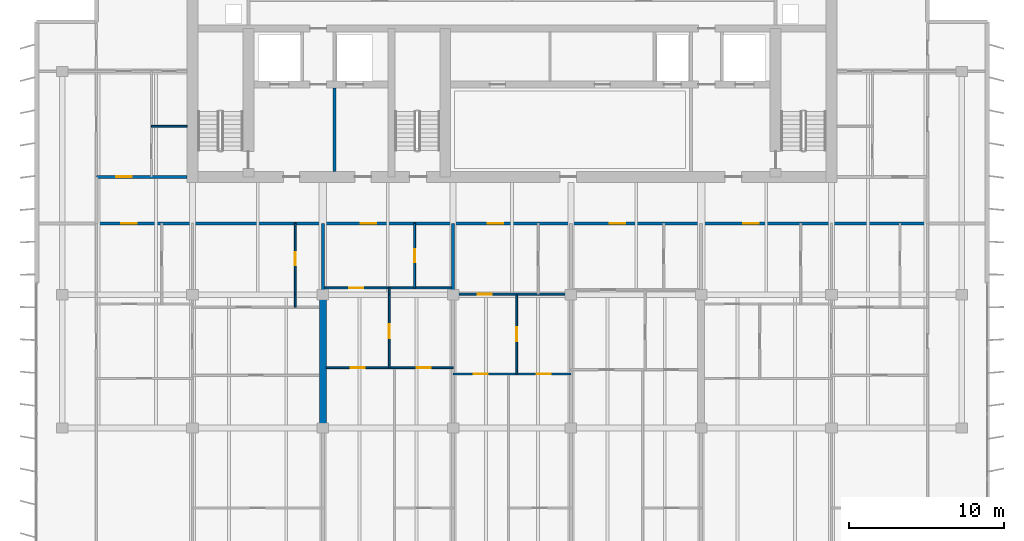
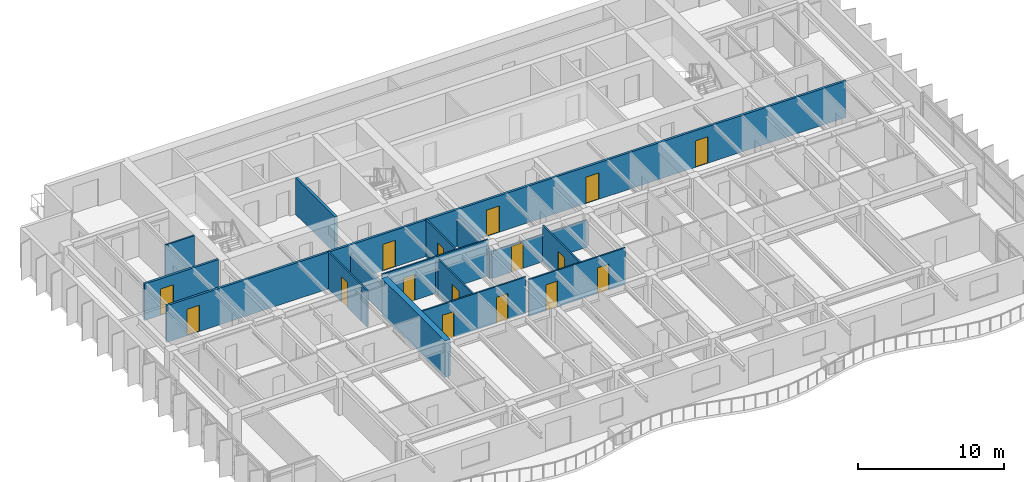
# One storey, part 7 of 17: 17 walls, 16 doors, 16 openings.
"""IFC4 building model written with IfcOpenShell, lengths in metres."""

from ifc_helpers import new_model, si_unit, direction, frame, frame_2d, origin, place, context, subcontext, project, spatial, rectangle, extrude, material, layer, layer_set, type_object, element, fill, save


model = new_model("IFC4")

# Units and contexts
model_context = context("Model", 3, precision=1e-05, world=origin(), true_north=direction((0.0, 1.0)))
body_context = subcontext(model_context, "Body", "Model", "MODEL_VIEW")
ifc_project = project(units=[si_unit("LENGTHUNIT", "METRE"), si_unit("AREAUNIT", "SQUARE_METRE"), si_unit("VOLUMEUNIT", "CUBIC_METRE"), si_unit("PLANEANGLEUNIT", "RADIAN"), si_unit("MASSUNIT", "GRAM", prefix="KILO")], contexts=[model_context])

# Site, building, storey
site_placement = place(None, origin())
site = spatial("IfcSite", under=ifc_project, at=site_placement, CompositionType="ELEMENT")
building_placement = place(site_placement, origin())
building = spatial("IfcBuilding", under=site, at=building_placement, Name="Caelmar Bay Residences", CompositionType="ELEMENT")
storey_placement = place(building_placement, frame((0.0, 0.0, 236.39990234375)))
storey = spatial("IfcBuildingStorey", under=building, at=storey_placement, Name="L66", CompositionType="ELEMENT", Elevation=236.39990234375)

# Wall
ifc_material_1 = material(Name="Concrete f'c 55 MPa (8,000 psi)", Category="concrete")
ifc_layer_1 = layer(ifc_material_1, 0.449951171875)
ifc_layer_set_1 = layer_set([ifc_layer_1], Name="Concrete f'c 55 MPa (8,000 psi)")
wall_type_1 = type_object("IfcWallType", Name="SW-XSLB-450", PredefinedType="SHEAR", material=ifc_layer_set_1)
wall_1_placement = place(storey_placement, frame((26.699951171875, 20.800048828125, 0.0), z_axis=(0.0, 0.0, 1.0), x_axis=(0.0, 1.0, 0.0)))
element("IfcWall", 1, at=wall_1_placement, inside=storey, type_object=wall_type_1, Name="L66 Transverse Cross-Slab Shear Wall W5", PredefinedType="SHEAR", context=body_context, shape_type="SweptSolid", body=[
    extrude(rectangle(XDim=8.599853515625, YDim=0.449951171875, at=frame_2d((4.2998046875, 0.0))), origin(), (0.0, 0.0, 1.0), 3.050048828125),
])

# Wall, openings, doors
ifc_material_2 = material(Name="Double-stud acoustic fire-rated gypsum partition 180 mm")
ifc_layer_2 = layer(ifc_material_2, 0.179931640625)
ifc_layer_set_2 = layer_set([ifc_layer_2], Name="Double-stud acoustic fire-rated gypsum partition 180 mm")
wall_type_2 = type_object("IfcWallType", Name="W-COR-200", PredefinedType="PARTITIONING", material=ifc_layer_set_2)
wall_2_placement = place(storey_placement, frame((12.10498046875, 34.0, 0.0), z_axis=(0.0, 0.0, 1.0), x_axis=(1.0, 0.0, 0.0)))
wall_2 = element("IfcWall", 2, at=wall_2_placement, inside=storey, type_object=wall_type_2, Name="L66 Partition Wall H083", PredefinedType="PARTITIONING", context=body_context, shape_type="SweptSolid", body=[
    extrude(rectangle(XDim=53.594970703125, YDim=0.179931640625, at=frame_2d((26.79736328125, 0.0))), origin(), (0.0, 0.0, 1.0), 3.050048828125),
])
opening_1_placement = place(wall_2_placement, frame((1.60693359375, 0.0, 0.0)))
opening_1 = element("IfcOpeningElement", 3, at=opening_1_placement, cuts=wall_2, Name="Opening D-L66-120", PredefinedType="OPENING", context=body_context, shape_type="SweptSolid", body=[
    extrude(rectangle(XDim=1.0, YDim=2.199951171875, at=frame_2d((0.5, 1.10009765625))), frame((0.0, 0.099853515625, 0.0), z_axis=(0.0, -1.0, 0.0), x_axis=(1.0, 0.0, 0.0)), (0.0, 0.0, 1.0), 0.199951171875),
])
opening_2_placement = place(wall_2_placement, frame((17.056884765625, 0.0, 0.0)))
opening_2 = element("IfcOpeningElement", 4, at=opening_2_placement, cuts=wall_2, Name="Opening D-L66-129", PredefinedType="OPENING", context=body_context, shape_type="SweptSolid", body=[
    extrude(rectangle(XDim=1.0, YDim=2.199951171875, at=frame_2d((0.5, 1.10009765625))), frame((0.0, 0.099853515625, 0.0), z_axis=(0.0, -1.0, 0.0), x_axis=(1.0, 0.0, 0.0)), (0.0, 0.0, 1.0), 0.199951171875),
])
opening_3_placement = place(wall_2_placement, frame((25.242431640625, 0.0, 0.0)))
opening_3 = element("IfcOpeningElement", 5, at=opening_3_placement, cuts=wall_2, Name="Opening D-L66-136", PredefinedType="OPENING", context=body_context, shape_type="SweptSolid", body=[
    extrude(rectangle(XDim=1.0, YDim=2.199951171875, at=frame_2d((0.5, 1.10009765625))), frame((0.0, 0.099853515625, 0.0), z_axis=(0.0, -1.0, 0.0), x_axis=(1.0, 0.0, 0.0)), (0.0, 0.0, 1.0), 0.199951171875),
])
opening_4_placement = place(wall_2_placement, frame((33.091552734375, 0.0, 0.0)))
opening_4 = element("IfcOpeningElement", 6, at=opening_4_placement, cuts=wall_2, Name="Opening D-L66-143", PredefinedType="OPENING", context=body_context, shape_type="SweptSolid", body=[
    extrude(rectangle(XDim=1.0, YDim=2.199951171875, at=frame_2d((0.5, 1.10009765625))), frame((0.0, 0.099853515625, 0.0), z_axis=(0.0, -1.0, 0.0), x_axis=(1.0, 0.0, 0.0)), (0.0, 0.0, 1.0), 0.199951171875),
])
opening_5_placement = place(wall_2_placement, frame((41.70458984375, 0.0, 0.0)))
opening_5 = element("IfcOpeningElement", 7, at=opening_5_placement, cuts=wall_2, Name="Opening D-L66-150", PredefinedType="OPENING", context=body_context, shape_type="SweptSolid", body=[
    extrude(rectangle(XDim=1.0, YDim=2.199951171875, at=frame_2d((0.5, 1.10009765625))), frame((0.0, 0.099853515625, 0.0), z_axis=(0.0, -1.0, 0.0), x_axis=(1.0, 0.0, 0.0)), (0.0, 0.0, 1.0), 0.199951171875),
])
ifc_material_3 = material(Name="Fire-rated steel and walnut architectural door assembly", Category="steel")
ifc_layer_3 = layer(ifc_material_3, 0.050048828125)
ifc_layer_set_3 = layer_set([ifc_layer_3], Name="Fire-rated steel and walnut architectural door assembly")
door_type_1 = type_object("IfcDoorType", Name="D-UNIT-1000", OperationType="NOTDEFINED", PredefinedType="DOOR", material=ifc_layer_set_3)
door_1_placement = place(opening_1_placement, origin())
door_1 = element("IfcDoor", 8, at=door_1_placement, inside=storey, type_object=door_type_1, Name="L66 Residence 01 Apartment Hall Door", OperationType="SINGLE_SWING_RIGHT", OverallHeight=2.199951171875, OverallWidth=1.0, PredefinedType="DOOR", context=body_context, shape_type="SweptSolid", body=[
    extrude(rectangle(XDim=1.0, YDim=2.199951171875, at=frame_2d((0.5, 1.10009765625))), frame((0.0, 0.02490234375, 0.0), z_axis=(0.0, -1.0, 0.0), x_axis=(1.0, 0.0, 0.0)), (0.0, 0.0, 1.0), 0.050048828125),
])
fill(opening_1, door_1)
door_2_placement = place(opening_2_placement, origin())
door_2 = element("IfcDoor", 9, at=door_2_placement, inside=storey, type_object=door_type_1, Name="L66 Residence 02 Apartment Hall Door", OperationType="SINGLE_SWING_LEFT", OverallHeight=2.199951171875, OverallWidth=1.0, PredefinedType="DOOR", context=body_context, shape_type="SweptSolid", body=[
    extrude(rectangle(XDim=1.0, YDim=2.199951171875, at=frame_2d((0.5, 1.10009765625))), frame((0.0, 0.02490234375, 0.0), z_axis=(0.0, -1.0, 0.0), x_axis=(1.0, 0.0, 0.0)), (0.0, 0.0, 1.0), 0.050048828125),
])
fill(opening_2, door_2)
door_3_placement = place(opening_3_placement, origin())
door_3 = element("IfcDoor", 10, at=door_3_placement, inside=storey, type_object=door_type_1, Name="L66 Residence 03 Apartment Hall Door", OperationType="SINGLE_SWING_RIGHT", OverallHeight=2.199951171875, OverallWidth=1.0, PredefinedType="DOOR", context=body_context, shape_type="SweptSolid", body=[
    extrude(rectangle(XDim=1.0, YDim=2.199951171875, at=frame_2d((0.5, 1.10009765625))), frame((0.0, 0.02490234375, 0.0), z_axis=(0.0, -1.0, 0.0), x_axis=(1.0, 0.0, 0.0)), (0.0, 0.0, 1.0), 0.050048828125),
])
fill(opening_3, door_3)
door_4_placement = place(opening_4_placement, origin())
door_4 = element("IfcDoor", 11, at=door_4_placement, inside=storey, type_object=door_type_1, Name="L66 Residence 04 Apartment Hall Door", OperationType="SINGLE_SWING_LEFT", OverallHeight=2.199951171875, OverallWidth=1.0, PredefinedType="DOOR", context=body_context, shape_type="SweptSolid", body=[
    extrude(rectangle(XDim=1.0, YDim=2.199951171875, at=frame_2d((0.5, 1.10009765625))), frame((0.0, 0.02490234375, 0.0), z_axis=(0.0, -1.0, 0.0), x_axis=(1.0, 0.0, 0.0)), (0.0, 0.0, 1.0), 0.050048828125),
])
fill(opening_4, door_4)
door_5_placement = place(opening_5_placement, origin())
door_5 = element("IfcDoor", 12, at=door_5_placement, inside=storey, type_object=door_type_1, Name="L66 Residence 05 Apartment Hall Door", OperationType="SINGLE_SWING_RIGHT", OverallHeight=2.199951171875, OverallWidth=1.0, PredefinedType="DOOR", context=body_context, shape_type="SweptSolid", body=[
    extrude(rectangle(XDim=1.0, YDim=2.199951171875, at=frame_2d((0.5, 1.10009765625))), frame((0.0, 0.02490234375, 0.0), z_axis=(0.0, -1.0, 0.0), x_axis=(1.0, 0.0, 0.0)), (0.0, 0.0, 1.0), 0.050048828125),
])
fill(opening_5, door_5)

# Wall, opening, door
wall_3_placement = place(storey_placement, frame((12.10009765625, 37.0, 0.0), z_axis=(0.0, 0.0, 1.0), x_axis=(1.0, 0.0, 0.0)))
wall_3 = element("IfcWall", 13, at=wall_3_placement, inside=storey, type_object=wall_type_2, Name="L66 Partition Wall H085", PredefinedType="PARTITIONING", context=body_context, shape_type="SweptSolid", body=[
    extrude(rectangle(XDim=5.844970703125, YDim=0.179931640625, at=frame_2d((2.92236328125, 0.0))), origin(), (0.0, 0.0, 1.0), 3.050048828125),
])
opening_6_placement = place(wall_3_placement, frame((1.27490234375, 0.0, 0.0)))
opening_6 = element("IfcOpeningElement", 14, at=opening_6_placement, cuts=wall_3, Name="Opening D-L66-162", PredefinedType="OPENING", context=body_context, shape_type="SweptSolid", body=[
    extrude(rectangle(XDim=1.0, YDim=2.199951171875, at=frame_2d((0.5, 1.10009765625))), frame((0.0, 0.099853515625, 0.0), z_axis=(0.0, -1.0, 0.0), x_axis=(1.0, 0.0, 0.0)), (0.0, 0.0, 1.0), 0.199951171875),
])
door_6_placement = place(opening_6_placement, origin())
door_6 = element("IfcDoor", 15, at=door_6_placement, inside=storey, type_object=door_type_1, Name="L66 Residence WA Kitchen Door", OperationType="SINGLE_SWING_RIGHT", OverallHeight=2.199951171875, OverallWidth=1.0, PredefinedType="DOOR", context=body_context, shape_type="SweptSolid", body=[
    extrude(rectangle(XDim=1.0, YDim=2.199951171875, at=frame_2d((0.5, 1.10009765625))), frame((0.0, 0.02490234375, 0.0), z_axis=(0.0, -1.0, 0.0), x_axis=(1.0, 0.0, 0.0)), (0.0, 0.0, 1.0), 0.050048828125),
])
fill(opening_6, door_6)

# Walls
ifc_material_4 = material(Name="Fire-rated masonry and gypsum shaftliner assembly 200 mm", Category="masonry")
ifc_layer_4 = layer(ifc_material_4, 0.199951171875)
ifc_layer_set_4 = layer_set([ifc_layer_4], Name="Fire-rated masonry and gypsum shaftliner assembly 200 mm")
wall_type_3 = type_object("IfcWallType", Name="W-FSAE-200", PredefinedType="PARTITIONING", material=ifc_layer_set_4)
wall_4_placement = place(storey_placement, frame((27.449951171875, 37.344970703125, 0.0), z_axis=(0.0, 0.0, 1.0), x_axis=(0.0, 1.0, 0.0)))
element("IfcWall", 16, at=wall_4_placement, inside=storey, type_object=wall_type_3, Name="L66 Partition Wall V018", PredefinedType="PARTITIONING", context=body_context, shape_type="SweptSolid", body=[
    extrude(rectangle(XDim=5.385009765625, YDim=0.199951171875, at=frame_2d((2.6923828125, 0.0))), origin(), (0.0, 0.0, 1.0), 3.050048828125),
])
ifc_material_5 = material(Name="Acoustic metal-stud gypsum partition 120 mm")
ifc_layer_5 = layer(ifc_material_5, 0.1201171875)
ifc_layer_set_5 = layer_set([ifc_layer_5], Name="Acoustic metal-stud gypsum partition 120 mm")
wall_type_4 = type_object("IfcWallType", Name="W-PRT-120", PredefinedType="PARTITIONING", material=ifc_layer_set_5)
wall_5_placement = place(storey_placement, frame((24.922119140625, 28.60009765625, 0.0), z_axis=(0.0, 0.0, 1.0), x_axis=(0.0, 1.0, 0.0)))
element("IfcWall", 17, at=wall_5_placement, inside=storey, type_object=wall_type_4, Name="L66 Partition Wall V012", PredefinedType="PARTITIONING", context=body_context, shape_type="SweptSolid", body=[
    extrude(rectangle(XDim=0.7998046875, YDim=0.1201171875, at=frame_2d((0.39990234375, 0.0))), origin(), (0.0, 0.0, 1.0), 3.050048828125),
])

# Wall, opening, door
wall_6_placement = place(storey_placement, frame((24.922119140625, 29.43994140625, 0.0), z_axis=(0.0, 0.0, 1.0), x_axis=(0.0, 1.0, 0.0)))
wall_6 = element("IfcWall", 18, at=wall_6_placement, inside=storey, type_object=wall_type_4, Name="L66 Partition Wall V013", PredefinedType="PARTITIONING", context=body_context, shape_type="SweptSolid", body=[
    extrude(rectangle(XDim=4.56005859375, YDim=0.1201171875, at=frame_2d((2.280029296875, 0.0))), origin(), (0.0, 0.0, 1.0), 3.050048828125),
])
opening_7_placement = place(wall_6_placement, frame((1.85498046875, 0.0, 0.0)))
opening_7 = element("IfcOpeningElement", 19, at=opening_7_placement, cuts=wall_6, Name="Opening D-L66-126", PredefinedType="OPENING", context=body_context, shape_type="SweptSolid", body=[
    extrude(rectangle(XDim=0.85009765625, YDim=2.10009765625, at=frame_2d((0.425048828125, 1.050048828125))), frame((0.0, 0.070068359375, 0.0), z_axis=(0.0, -1.0, 0.0), x_axis=(1.0, 0.0, 0.0)), (0.0, 0.0, 1.0), 0.14013671875),
])
ifc_material_6 = material(Name="Solid walnut timber interior door leaf and frame", Category="wood")
ifc_layer_6 = layer(ifc_material_6, 0.050048828125)
ifc_layer_set_6 = layer_set([ifc_layer_6], Name="Solid walnut timber interior door leaf and frame")
door_type_2 = type_object("IfcDoorType", Name="D-BATH-850", OperationType="NOTDEFINED", PredefinedType="DOOR", material=ifc_layer_set_6)
door_7_placement = place(opening_7_placement, origin())
door_7 = element("IfcDoor", 20, at=door_7_placement, inside=storey, type_object=door_type_2, Name="L66 Residence 01 En-Suite Bathroom 1 Door", OperationType="SINGLE_SWING_RIGHT", OverallHeight=2.10009765625, OverallWidth=0.85009765625, PredefinedType="DOOR", context=body_context, shape_type="SweptSolid", body=[
    extrude(rectangle(XDim=0.85009765625, YDim=2.10009765625, at=frame_2d((0.425048828125, 1.050048828125))), frame((0.0, 0.02490234375, 0.0), z_axis=(0.0, -1.0, 0.0), x_axis=(1.0, 0.0, 0.0)), (0.0, 0.0, 1.0), 0.050048828125),
])
fill(opening_7, door_7)

wall_7_placement = place(storey_placement, frame((30.986083984375, 24.68994140625, 0.0), z_axis=(0.0, 0.0, 1.0), x_axis=(0.0, 1.0, 0.0)))
wall_7 = element("IfcWall", 21, at=wall_7_placement, inside=storey, type_object=wall_type_4, Name="L66 Partition Wall V020", PredefinedType="PARTITIONING", context=body_context, shape_type="SweptSolid", body=[
    extrude(rectangle(XDim=4.7099609375, YDim=0.1201171875, at=frame_2d((2.35498046875, 0.0))), origin(), (0.0, 0.0, 1.0), 3.050048828125),
])
opening_8_placement = place(wall_7_placement, frame((1.905029296875, 0.0, 0.0)))
opening_8 = element("IfcOpeningElement", 22, at=opening_8_placement, cuts=wall_7, Name="Opening D-L66-132", PredefinedType="OPENING", context=body_context, shape_type="SweptSolid", body=[
    extrude(rectangle(XDim=0.89990234375, YDim=2.14990234375, at=frame_2d((0.449951171875, 1.074951171875))), frame((0.0, 0.070068359375, 0.0), z_axis=(0.0, -1.0, 0.0), x_axis=(1.0, 0.0, 0.0)), (0.0, 0.0, 1.0), 0.14013671875),
])
ifc_layer_7 = layer(ifc_material_6, 0.050048828125)
ifc_layer_set_7 = layer_set([ifc_layer_7], Name="Solid walnut timber interior door leaf and frame")
door_type_3 = type_object("IfcDoorType", Name="D-ROOM-900", OperationType="NOTDEFINED", PredefinedType="DOOR", material=ifc_layer_set_7)
door_8_placement = place(opening_8_placement, origin())
door_8 = element("IfcDoor", 23, at=door_8_placement, inside=storey, type_object=door_type_3, Name="L66 Residence 02 Home Office Door", OperationType="SINGLE_SWING_RIGHT", OverallHeight=2.14990234375, OverallWidth=0.89990234375, PredefinedType="DOOR", context=body_context, shape_type="SweptSolid", body=[
    extrude(rectangle(XDim=0.89990234375, YDim=2.14990234375, at=frame_2d((0.449951171875, 1.074951171875))), frame((0.0, 0.02490234375, 0.0), z_axis=(0.0, -1.0, 0.0), x_axis=(1.0, 0.0, 0.0)), (0.0, 0.0, 1.0), 0.050048828125),
])
fill(opening_8, door_8)

# Wall
wall_8_placement = place(storey_placement, frame((30.986083984375, 29.43994140625, 0.0), z_axis=(0.0, 0.0, 1.0), x_axis=(0.0, 1.0, 0.0)))
element("IfcWall", 24, at=wall_8_placement, inside=storey, type_object=wall_type_4, Name="L66 Partition Wall V021", PredefinedType="PARTITIONING", context=body_context, shape_type="SweptSolid", body=[
    extrude(rectangle(XDim=0.400146484375, YDim=0.1201171875, at=frame_2d((0.2001953125, 0.0))), origin(), (0.0, 0.0, 1.0), 2.72509765625),
])

# Wall, opening, door
wall_9_placement = place(storey_placement, frame((32.6240234375, 29.840087890625, 0.0), z_axis=(0.0, 0.0, 1.0), x_axis=(0.0, 1.0, 0.0)))
wall_9 = element("IfcWall", 25, at=wall_9_placement, inside=storey, type_object=wall_type_4, Name="L66 Partition Wall V024", PredefinedType="PARTITIONING", context=body_context, shape_type="SweptSolid", body=[
    extrude(rectangle(XDim=4.159912109375, YDim=0.1201171875, at=frame_2d((2.080078125, 0.0))), origin(), (0.0, 0.0, 1.0), 3.050048828125),
])
opening_9_placement = place(wall_9_placement, frame((1.655029296875, 0.0, 0.0)))
opening_9 = element("IfcOpeningElement", 26, at=opening_9_placement, cuts=wall_9, Name="Opening D-L66-130", PredefinedType="OPENING", context=body_context, shape_type="SweptSolid", body=[
    extrude(rectangle(XDim=0.85009765625, YDim=2.10009765625, at=frame_2d((0.425048828125, 1.050048828125))), frame((0.0, 0.070068359375, 0.0), z_axis=(0.0, -1.0, 0.0), x_axis=(1.0, 0.0, 0.0)), (0.0, 0.0, 1.0), 0.14013671875),
])
door_9_placement = place(opening_9_placement, origin())
door_9 = element("IfcDoor", 27, at=door_9_placement, inside=storey, type_object=door_type_2, Name="L66 Residence 02 Bathroom Door", OperationType="SINGLE_SWING_RIGHT", OverallHeight=2.10009765625, OverallWidth=0.85009765625, PredefinedType="DOOR", context=body_context, shape_type="SweptSolid", body=[
    extrude(rectangle(XDim=0.85009765625, YDim=2.10009765625, at=frame_2d((0.425048828125, 1.050048828125))), frame((0.0, 0.02490234375, 0.0), z_axis=(0.0, -1.0, 0.0), x_axis=(1.0, 0.0, 0.0)), (0.0, 0.0, 1.0), 0.050048828125),
])
fill(opening_9, door_9)

wall_10_placement = place(storey_placement, frame((39.2041015625, 24.2900390625, 0.0), z_axis=(0.0, 0.0, 1.0), x_axis=(0.0, 1.0, 0.0)))
wall_10 = element("IfcWall", 28, at=wall_10_placement, inside=storey, type_object=wall_type_4, Name="L66 Partition Wall V031", PredefinedType="PARTITIONING", context=body_context, shape_type="SweptSolid", body=[
    extrude(rectangle(XDim=5.10986328125, YDim=0.1201171875, at=frame_2d((2.554931640625, 0.0))), origin(), (0.0, 0.0, 1.0), 3.050048828125),
])
opening_10_placement = place(wall_10_placement, frame((2.10498046875, 0.0, 0.0)))
opening_10 = element("IfcOpeningElement", 29, at=opening_10_placement, cuts=wall_10, Name="Opening D-L66-139", PredefinedType="OPENING", context=body_context, shape_type="SweptSolid", body=[
    extrude(rectangle(XDim=0.89990234375, YDim=2.14990234375, at=frame_2d((0.449951171875, 1.074951171875))), frame((0.0, 0.070068359375, 0.0), z_axis=(0.0, -1.0, 0.0), x_axis=(1.0, 0.0, 0.0)), (0.0, 0.0, 1.0), 0.14013671875),
])
door_10_placement = place(opening_10_placement, origin())
door_10 = element("IfcDoor", 30, at=door_10_placement, inside=storey, type_object=door_type_3, Name="L66 Residence 03 Home Office Door", OperationType="SINGLE_SWING_LEFT", OverallHeight=2.14990234375, OverallWidth=0.89990234375, PredefinedType="DOOR", context=body_context, shape_type="SweptSolid", body=[
    extrude(rectangle(XDim=0.89990234375, YDim=2.14990234375, at=frame_2d((0.449951171875, 1.074951171875))), frame((0.0, 0.02490234375, 0.0), z_axis=(0.0, -1.0, 0.0), x_axis=(1.0, 0.0, 0.0)), (0.0, 0.0, 1.0), 0.050048828125),
])
fill(opening_10, door_10)

# Wall, openings, doors
wall_11_placement = place(storey_placement, frame((35.10009765625, 24.2900390625, 0.0), z_axis=(0.0, 0.0, 1.0), x_axis=(1.0, 0.0, 0.0)))
wall_11 = element("IfcWall", 31, at=wall_11_placement, inside=storey, type_object=wall_type_4, Name="L66 Partition Wall H072", PredefinedType="PARTITIONING", context=body_context, shape_type="SweptSolid", body=[
    extrude(rectangle(XDim=7.599853515625, YDim=0.1201171875, at=frame_2d((3.7998046875, 0.0))), origin(), (0.0, 0.0, 1.0), 3.050048828125),
])
opening_11_placement = place(wall_11_placement, frame((1.3359375, 0.0, 0.0)))
opening_11 = element("IfcOpeningElement", 32, at=opening_11_placement, cuts=wall_11, Name="Opening D-L66-140", PredefinedType="OPENING", context=body_context, shape_type="SweptSolid", body=[
    extrude(rectangle(XDim=0.89990234375, YDim=2.14990234375, at=frame_2d((0.449951171875, 1.074951171875))), frame((0.0, 0.070068359375, 0.0), z_axis=(0.0, -1.0, 0.0), x_axis=(1.0, 0.0, 0.0)), (0.0, 0.0, 1.0), 0.14013671875),
])
opening_12_placement = place(wall_11_placement, frame((5.402099609375, 0.0, 0.0)))
opening_12 = element("IfcOpeningElement", 33, at=opening_12_placement, cuts=wall_11, Name="Opening D-L66-141", PredefinedType="OPENING", context=body_context, shape_type="SweptSolid", body=[
    extrude(rectangle(XDim=0.89990234375, YDim=2.14990234375, at=frame_2d((0.449951171875, 1.074951171875))), frame((0.0, 0.070068359375, 0.0), z_axis=(0.0, -1.0, 0.0), x_axis=(1.0, 0.0, 0.0)), (0.0, 0.0, 1.0), 0.14013671875),
])
door_11_placement = place(opening_11_placement, origin())
door_11 = element("IfcDoor", 34, at=door_11_placement, inside=storey, type_object=door_type_3, Name="L66 Residence 03 Living Room Door", OperationType="SINGLE_SWING_RIGHT", OverallHeight=2.14990234375, OverallWidth=0.89990234375, PredefinedType="DOOR", context=body_context, shape_type="SweptSolid", body=[
    extrude(rectangle(XDim=0.89990234375, YDim=2.14990234375, at=frame_2d((0.449951171875, 1.074951171875))), frame((0.0, 0.02490234375, 0.0), z_axis=(0.0, -1.0, 0.0), x_axis=(1.0, 0.0, 0.0)), (0.0, 0.0, 1.0), 0.050048828125),
])
fill(opening_11, door_11)
door_12_placement = place(opening_12_placement, origin())
door_12 = element("IfcDoor", 35, at=door_12_placement, inside=storey, type_object=door_type_3, Name="L66 Residence 03 Bedroom 2 Door", OperationType="SINGLE_SWING_LEFT", OverallHeight=2.14990234375, OverallWidth=0.89990234375, PredefinedType="DOOR", context=body_context, shape_type="SweptSolid", body=[
    extrude(rectangle(XDim=0.89990234375, YDim=2.14990234375, at=frame_2d((0.449951171875, 1.074951171875))), frame((0.0, 0.02490234375, 0.0), z_axis=(0.0, -1.0, 0.0), x_axis=(1.0, 0.0, 0.0)), (0.0, 0.0, 1.0), 0.050048828125),
])
fill(opening_12, door_12)

wall_12_placement = place(storey_placement, frame((26.919921875, 24.68994140625, 0.0), z_axis=(0.0, 0.0, 1.0), x_axis=(1.0, 0.0, 0.0)))
wall_12 = element("IfcWall", 36, at=wall_12_placement, inside=storey, type_object=wall_type_4, Name="L66 Partition Wall H074", PredefinedType="PARTITIONING", context=body_context, shape_type="SweptSolid", body=[
    extrude(rectangle(XDim=8.18017578125, YDim=0.1201171875, at=frame_2d((4.090087890625, 0.0))), origin(), (0.0, 0.0, 1.0), 3.050048828125),
])
opening_13_placement = place(wall_12_placement, frame((1.5830078125, 0.0, 0.0)))
opening_13 = element("IfcOpeningElement", 37, at=opening_13_placement, cuts=wall_12, Name="Opening D-L66-133", PredefinedType="OPENING", context=body_context, shape_type="SweptSolid", body=[
    extrude(rectangle(XDim=0.89990234375, YDim=2.14990234375, at=frame_2d((0.449951171875, 1.074951171875))), frame((0.0, 0.070068359375, 0.0), z_axis=(0.0, -1.0, 0.0), x_axis=(1.0, 0.0, 0.0)), (0.0, 0.0, 1.0), 0.14013671875),
])
opening_14_placement = place(wall_12_placement, frame((5.840087890625, 0.0, 0.0)))
opening_14 = element("IfcOpeningElement", 38, at=opening_14_placement, cuts=wall_12, Name="Opening D-L66-134", PredefinedType="OPENING", context=body_context, shape_type="SweptSolid", body=[
    extrude(rectangle(XDim=0.89990234375, YDim=2.14990234375, at=frame_2d((0.449951171875, 1.074951171875))), frame((0.0, 0.070068359375, 0.0), z_axis=(0.0, -1.0, 0.0), x_axis=(1.0, 0.0, 0.0)), (0.0, 0.0, 1.0), 0.14013671875),
])
door_13_placement = place(opening_13_placement, origin())
door_13 = element("IfcDoor", 39, at=door_13_placement, inside=storey, type_object=door_type_3, Name="L66 Residence 02 Living Room Door", OperationType="SINGLE_SWING_LEFT", OverallHeight=2.14990234375, OverallWidth=0.89990234375, PredefinedType="DOOR", context=body_context, shape_type="SweptSolid", body=[
    extrude(rectangle(XDim=0.89990234375, YDim=2.14990234375, at=frame_2d((0.449951171875, 1.074951171875))), frame((0.0, 0.02490234375, 0.0), z_axis=(0.0, -1.0, 0.0), x_axis=(1.0, 0.0, 0.0)), (0.0, 0.0, 1.0), 0.050048828125),
])
fill(opening_13, door_13)
door_14_placement = place(opening_14_placement, origin())
door_14 = element("IfcDoor", 40, at=door_14_placement, inside=storey, type_object=door_type_3, Name="L66 Residence 02 Bedroom 2 Door", OperationType="SINGLE_SWING_RIGHT", OverallHeight=2.14990234375, OverallWidth=0.89990234375, PredefinedType="DOOR", context=body_context, shape_type="SweptSolid", body=[
    extrude(rectangle(XDim=0.89990234375, YDim=2.14990234375, at=frame_2d((0.449951171875, 1.074951171875))), frame((0.0, 0.02490234375, 0.0), z_axis=(0.0, -1.0, 0.0), x_axis=(1.0, 0.0, 0.0)), (0.0, 0.0, 1.0), 0.050048828125),
])
fill(opening_14, door_14)

# Wall, opening, door
wall_13_placement = place(storey_placement, frame((35.10009765625, 29.43994140625, 0.0), z_axis=(0.0, 0.0, 1.0), x_axis=(1.0, 0.0, 0.0)))
wall_13 = element("IfcWall", 41, at=wall_13_placement, inside=storey, type_object=wall_type_4, Name="L66 Partition Wall H079", PredefinedType="PARTITIONING", context=body_context, shape_type="SweptSolid", body=[
    extrude(rectangle(XDim=7.599853515625, YDim=0.1201171875, at=frame_2d((3.7998046875, 0.0))), origin(), (0.0, 0.0, 1.0), 2.26318359375),
])
opening_15_placement = place(wall_13_placement, frame((1.60205078125, 0.0, 0.0)))
opening_15 = element("IfcOpeningElement", 42, at=opening_15_placement, cuts=wall_13, Name="Opening D-L66-138", PredefinedType="OPENING", context=body_context, shape_type="SweptSolid", body=[
    extrude(rectangle(XDim=0.89990234375, YDim=2.14990234375, at=frame_2d((0.449951171875, 1.074951171875))), frame((0.0, 0.070068359375, 0.0), z_axis=(0.0, -1.0, 0.0), x_axis=(1.0, 0.0, 0.0)), (0.0, 0.0, 1.0), 0.14013671875),
])
door_15_placement = place(opening_15_placement, origin())
door_15 = element("IfcDoor", 43, at=door_15_placement, inside=storey, type_object=door_type_3, Name="L66 Residence 03 Kitchen Door", OperationType="SINGLE_SWING_RIGHT", OverallHeight=2.14990234375, OverallWidth=0.89990234375, PredefinedType="DOOR", context=body_context, shape_type="SweptSolid", body=[
    extrude(rectangle(XDim=0.89990234375, YDim=2.14990234375, at=frame_2d((0.449951171875, 1.074951171875))), frame((0.0, 0.02490234375, 0.0), z_axis=(0.0, -1.0, 0.0), x_axis=(1.0, 0.0, 0.0)), (0.0, 0.0, 1.0), 0.050048828125),
])
fill(opening_15, door_15)

wall_14_placement = place(storey_placement, frame((26.699951171875, 29.840087890625, 0.0), z_axis=(0.0, 0.0, 1.0), x_axis=(1.0, 0.0, 0.0)))
wall_14 = element("IfcWall", 44, at=wall_14_placement, inside=storey, type_object=wall_type_4, Name="L66 Partition Wall H081", PredefinedType="PARTITIONING", context=body_context, shape_type="SweptSolid", body=[
    extrude(rectangle(XDim=8.400146484375, YDim=0.1201171875, at=frame_2d((4.2001953125, 0.0))), origin(), (0.0, 0.0, 1.0), 3.050048828125),
])
opening_16_placement = place(wall_14_placement, frame((1.693115234375, 0.0, 0.0)))
opening_16 = element("IfcOpeningElement", 45, at=opening_16_placement, cuts=wall_14, Name="Opening D-L66-131", PredefinedType="OPENING", context=body_context, shape_type="SweptSolid", body=[
    extrude(rectangle(XDim=0.89990234375, YDim=2.14990234375, at=frame_2d((0.449951171875, 1.074951171875))), frame((0.0, 0.070068359375, 0.0), z_axis=(0.0, -1.0, 0.0), x_axis=(1.0, 0.0, 0.0)), (0.0, 0.0, 1.0), 0.14013671875),
])
door_16_placement = place(opening_16_placement, origin())
door_16 = element("IfcDoor", 46, at=door_16_placement, inside=storey, type_object=door_type_3, Name="L66 Residence 02 Kitchen Door", OperationType="SINGLE_SWING_LEFT", OverallHeight=2.14990234375, OverallWidth=0.89990234375, PredefinedType="DOOR", context=body_context, shape_type="SweptSolid", body=[
    extrude(rectangle(XDim=0.89990234375, YDim=2.14990234375, at=frame_2d((0.449951171875, 1.074951171875))), frame((0.0, 0.02490234375, 0.0), z_axis=(0.0, -1.0, 0.0), x_axis=(1.0, 0.0, 0.0)), (0.0, 0.0, 1.0), 0.050048828125),
])
fill(opening_16, door_16)

# Walls
wall_15_placement = place(storey_placement, frame((15.64990234375, 40.263916015625, 0.0), z_axis=(0.0, 0.0, 1.0), x_axis=(1.0, 0.0, 0.0)))
element("IfcWall", 47, at=wall_15_placement, inside=storey, type_object=wall_type_4, Name="L66 Partition Wall H087", PredefinedType="PARTITIONING", context=body_context, shape_type="SweptSolid", body=[
    extrude(rectangle(XDim=2.30517578125, YDim=0.1201171875, at=frame_2d((1.152587890625, 0.0))), origin(), (0.0, 0.0, 1.0), 3.050048828125),
])
ifc_material_7 = material(Name="Acoustic twin-stud fire-rated inter-tenancy partition 200 mm")
ifc_layer_8 = layer(ifc_material_7, 0.199951171875)
ifc_layer_set_8 = layer_set([ifc_layer_8], Name="Acoustic twin-stud fire-rated inter-tenancy partition 200 mm")
wall_type_5 = type_object("IfcWallType", Name="W-PTY-200", PredefinedType="PARTITIONING", material=ifc_layer_set_8)
wall_16_placement = place(storey_placement, frame((26.699951171875, 29.43994140625, 0.0), z_axis=(0.0, 0.0, 1.0), x_axis=(0.0, 1.0, 0.0)))
element("IfcWall", 48, at=wall_16_placement, inside=storey, type_object=wall_type_5, Name="L66 Partition Wall V017", PredefinedType="PARTITIONING", context=body_context, shape_type="SweptSolid", body=[
    extrude(rectangle(XDim=4.56005859375, YDim=0.199951171875, at=frame_2d((2.280029296875, 0.0))), origin(), (0.0, 0.0, 1.0), 2.335205078125),
])
wall_17_placement = place(storey_placement, frame((35.10009765625, 29.43994140625, 0.0), z_axis=(0.0, 0.0, 1.0), x_axis=(0.0, 1.0, 0.0)))
element("IfcWall", 49, at=wall_17_placement, inside=storey, type_object=wall_type_5, Name="L66 Partition Wall V027", PredefinedType="PARTITIONING", context=body_context, shape_type="SweptSolid", body=[
    extrude(rectangle(XDim=4.56005859375, YDim=0.199951171875, at=frame_2d((2.280029296875, 0.0))), origin(), (0.0, 0.0, 1.0), 2.26318359375),
])

save(model, "model.ifc")
